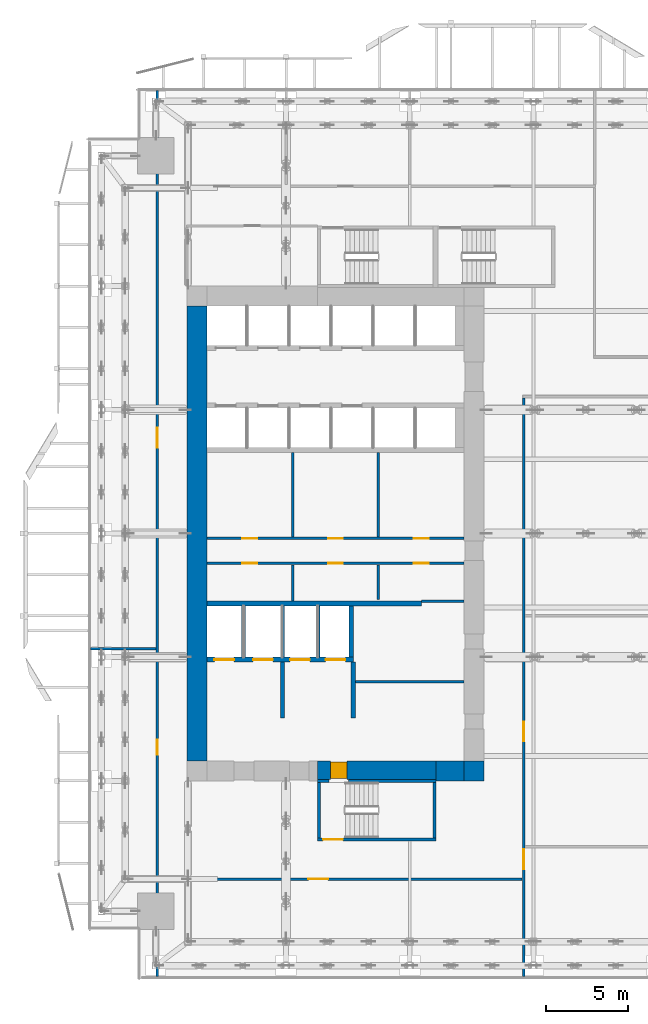
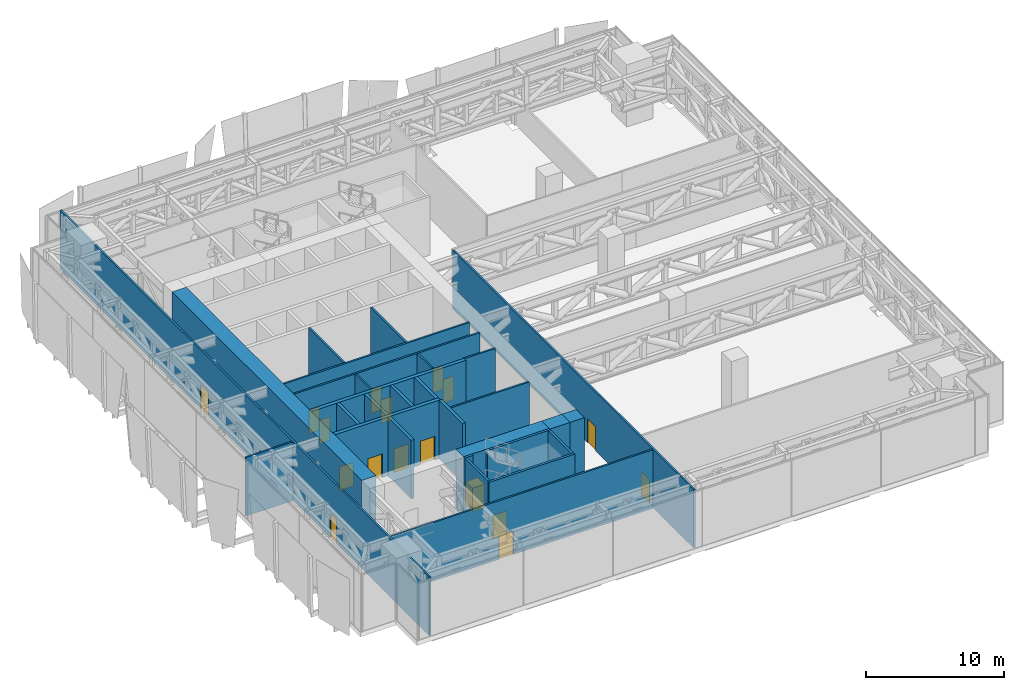
# One storey, part 30 of 39: 29 walls, 17 doors, 17 openings.
"""IFC4 building model written with IfcOpenShell, lengths in metres."""

from ifc_helpers import new_model, si_unit, direction, frame, frame_2d, origin, place, context, subcontext, project, spatial, rectangle, extrude, source, transform, mapped, material, layer, layer_set, type_object, element, fill, save


model = new_model("IFC4")

# Units and contexts
model_context = context("Model", 3, precision=1e-05, world=origin(), true_north=direction((0.0, 1.0)))
body_context = subcontext(model_context, "Body", "Model", "MODEL_VIEW")
ifc_project = project(units=[si_unit("LENGTHUNIT", "METRE"), si_unit("AREAUNIT", "SQUARE_METRE"), si_unit("VOLUMEUNIT", "CUBIC_METRE"), si_unit("PLANEANGLEUNIT", "RADIAN"), si_unit("MASSUNIT", "GRAM", prefix="KILO")], contexts=[model_context])

# Site, building, storey
site_placement = place(None, origin())
site = spatial("IfcSite", under=ifc_project, at=site_placement, CompositionType="ELEMENT")
building_placement = place(site_placement, origin())
building = spatial("IfcBuilding", under=site, at=building_placement, Name="Khomas Fold Tower", CompositionType="ELEMENT")
storey_placement = place(building_placement, frame((0.0, 0.0, 96.0)))
storey = spatial("IfcBuildingStorey", under=building, at=storey_placement, Name="L20", CompositionType="ELEMENT", Elevation=96.0)

# Wall
ifc_material_1 = material(Name="Concrete C70/85", Category="concrete")
ifc_layer_1 = layer(ifc_material_1, 1.199951171875)
ifc_layer_set_1 = layer_set([ifc_layer_1], Name="Concrete C70/85")
wall_type_1 = type_object("IfcWallType", Name="Core corner wall 1200", PredefinedType="SHEAR", material=ifc_layer_set_1)
shared_shape_1 = source(origin(), body_context, "Body", "SweptSolid", [
    extrude(rectangle(XDim=1.199951171875, YDim=1.199951171875, at=frame_2d((0.60009765625, 0.0))), origin(), (0.0, 0.0, 1.0), 5.199951171875),
])
wall_1_placement = place(storey_placement, frame((22.800048828125, 12.60009765625, 0.0), z_axis=(0.0, 0.0, 1.0), x_axis=(1.0, 0.0, 0.0)))
element("IfcWall", 1, at=wall_1_placement, inside=storey, type_object=wall_type_1, Name="Core wall CW-L-SE-B2", PredefinedType="SHEAR", context=body_context, shape_type="MappedRepresentation", body=[
    mapped(shared_shape_1, transform((0.0, 0.0, 0.0))),
])

# Wall, opening, door
ifc_material_2 = material(Name="Concrete C70/85", Category="concrete")
ifc_layer_2 = layer(ifc_material_2, 1.10009765625)
ifc_layer_set_2 = layer_set([ifc_layer_2], Name="Concrete C70/85")
wall_type_2 = type_object("IfcWallType", Name="Core wall 1100", PredefinedType="SHEAR", material=ifc_layer_set_2)
shared_shape_2 = source(origin(), body_context, "Body", "SweptSolid", [
    extrude(rectangle(XDim=7.2001953125, YDim=1.10009765625, at=frame_2d((3.60009765625, 0.0))), origin(), (0.0, 0.0, 1.0), 5.199951171875),
])
wall_2_placement = place(storey_placement, frame((13.89990234375, 12.64990234375, 0.0), z_axis=(0.0, 0.0, 1.0), x_axis=(1.0, 0.0, 0.0)))
wall_2 = element("IfcWall", 2, at=wall_2_placement, inside=storey, type_object=wall_type_2, Name="Core wall CW-L-S-B2-1", PredefinedType="SHEAR", context=body_context, shape_type="MappedRepresentation", body=[
    mapped(shared_shape_2, transform((0.0, 0.0, 0.0))),
])
shared_shape_3 = source(origin(), body_context, "Body", "SweptSolid", [
    extrude(rectangle(XDim=1.0, YDim=2.10009765625, at=frame_2d((0.5, 1.050048828125))), frame((0.0, 0.56005859375, 0.0), z_axis=(0.0, -1.0, 0.0), x_axis=(1.0, 0.0, 0.0)), (0.0, 0.0, 1.0), 1.1201171875),
])
opening_1_placement = place(wall_2_placement, frame((0.800048828125, 0.0, 0.0)))
opening_1 = element("IfcOpeningElement", 3, at=opening_1_placement, cuts=wall_2, Name="Opening 0010", PredefinedType="OPENING", context=body_context, shape_type="MappedRepresentation", body=[
    mapped(shared_shape_3, transform((0.0, 0.0, 0.0))),
])
ifc_material_3 = material(Name="Steel door leaf", Category="steel")
door_type_1 = type_object("IfcDoorType", Name="Stair door 1000x2100 right-hand", OperationType="SINGLE_SWING_RIGHT", PredefinedType="DOOR", material=ifc_material_3)
shared_shape_4 = source(origin(), body_context, "Body", "SweptSolid", [
    extrude(rectangle(XDim=1.0, YDim=2.10009765625, at=frame_2d((0.5, 1.050048828125))), frame((0.0, 0.5, 0.0), z_axis=(0.0, -1.0, 0.0), x_axis=(1.0, 0.0, 0.0)), (0.0, 0.0, 1.0), 1.0),
])
door_1_placement = place(opening_1_placement, origin())
door_1 = element("IfcDoor", 4, at=door_1_placement, inside=storey, type_object=door_type_1, Name="Stair door", OperationType="SINGLE_SWING_RIGHT", OverallHeight=2.10009765625, OverallWidth=1.0, PredefinedType="DOOR", context=body_context, shape_type="MappedRepresentation", body=[
    mapped(shared_shape_4, transform((0.0, 0.0, 0.0))),
])
fill(opening_1, door_1)

# Walls
ifc_material_4 = material(Name="Concrete C70/85", Category="concrete")
ifc_layer_3 = layer(ifc_material_4, 1.199951171875)
ifc_layer_set_3 = layer_set([ifc_layer_3], Name="Concrete C70/85")
wall_type_3 = type_object("IfcWallType", Name="Core wall 1200", PredefinedType="SHEAR", material=ifc_layer_set_3)
shared_shape_5 = source(origin(), body_context, "Body", "SweptSolid", [
    extrude(rectangle(XDim=1.699951171875, YDim=1.199951171875, at=frame_2d((0.85009765625, 0.0))), origin(), (0.0, 0.0, 1.0), 5.199951171875),
])
wall_3_placement = place(storey_placement, frame((21.10009765625, 12.60009765625, 0.0), z_axis=(0.0, 0.0, 1.0), x_axis=(1.0, 0.0, 0.0)))
element("IfcWall", 5, at=wall_3_placement, inside=storey, type_object=wall_type_3, Name="Core wall CW-L-S-B2-2", PredefinedType="SHEAR", context=body_context, shape_type="MappedRepresentation", body=[
    mapped(shared_shape_5, transform((0.0, 0.0, 0.0))),
])
shared_shape_6 = source(origin(), body_context, "Body", "SweptSolid", [
    extrude(rectangle(XDim=27.60009765625, YDim=1.199951171875, at=frame_2d((13.800048828125, 0.0))), origin(), (0.0, 0.0, 1.0), 5.199951171875),
])
wall_4_placement = place(storey_placement, frame((6.60009765625, 13.199951171875, 0.0), z_axis=(0.0, 0.0, 1.0), x_axis=(0.0, 1.0, 0.0)))
element("IfcWall", 6, at=wall_4_placement, inside=storey, type_object=wall_type_3, Name="Core wall CW-L-W-B2", PredefinedType="SHEAR", context=body_context, shape_type="MappedRepresentation", body=[
    mapped(shared_shape_6, transform((0.0, 0.0, 0.0))),
])
ifc_material_5 = material(Name="Concrete C50/60", Category="concrete")
ifc_layer_4 = layer(ifc_material_5, 0.199951171875)
ifc_layer_set_4 = layer_set([ifc_layer_4], Name="Concrete C50/60")
wall_type_4 = type_object("IfcWallType", Name="Stair wall 200", PredefinedType="SHEAR", material=ifc_layer_set_4)
shared_shape_7 = source(origin(), body_context, "Body", "SweptSolid", [
    extrude(rectangle(XDim=0.7001953125, YDim=0.199951171875, at=frame_2d((0.35009765625, 0.0))), origin(), (0.0, 0.0, 1.0), 5.199951171875),
])
wall_5_placement = place(storey_placement, frame((13.89990234375, 12.0, 0.0), z_axis=(0.0, 0.0, 1.0), x_axis=(1.0, 0.0, 0.0)))
element("IfcWall", 7, at=wall_5_placement, inside=storey, type_object=wall_type_4, Name="Stair wall SW-ST2-N", PredefinedType="SHEAR", context=body_context, shape_type="MappedRepresentation", body=[
    mapped(shared_shape_7, transform((0.0, 0.0, 0.0))),
])
shared_shape_8 = source(origin(), body_context, "Body", "SweptSolid", [
    extrude(rectangle(XDim=5.300048828125, YDim=0.199951171875, at=frame_2d((2.64990234375, 0.0))), origin(), (0.0, 0.0, 1.0), 5.199951171875),
])
wall_6_placement = place(storey_placement, frame((15.800048828125, 12.0, 0.0), z_axis=(0.0, 0.0, 1.0), x_axis=(1.0, 0.0, 0.0)))
element("IfcWall", 8, at=wall_6_placement, inside=storey, type_object=wall_type_4, Name="Stair wall SW-ST2-NB", PredefinedType="SHEAR", context=body_context, shape_type="MappedRepresentation", body=[
    mapped(shared_shape_8, transform((0.0, 0.0, 0.0))),
])

# Wall, opening, door
shared_shape_9 = source(origin(), body_context, "Body", "SweptSolid", [
    extrude(rectangle(XDim=7.2001953125, YDim=0.199951171875, at=frame_2d((3.60009765625, 0.0))), origin(), (0.0, 0.0, 1.0), 5.199951171875),
])
wall_7_placement = place(storey_placement, frame((13.89990234375, 8.449951171875, 0.0), z_axis=(0.0, 0.0, 1.0), x_axis=(1.0, 0.0, 0.0)))
wall_7 = element("IfcWall", 9, at=wall_7_placement, inside=storey, type_object=wall_type_4, Name="Stair wall SW-ST2-S", PredefinedType="SHEAR", context=body_context, shape_type="MappedRepresentation", body=[
    mapped(shared_shape_9, transform((0.0, 0.0, 0.0))),
])
shared_shape_10 = source(origin(), body_context, "Body", "SweptSolid", [
    extrude(rectangle(XDim=1.199951171875, YDim=2.10009765625, at=frame_2d((0.60009765625, 1.050048828125))), frame((0.0, 0.10986328125, 0.0), z_axis=(0.0, -1.0, 0.0), x_axis=(1.0, 0.0, 0.0)), (0.0, 0.0, 1.0), 0.219970703125),
])
opening_2_placement = place(wall_7_placement, frame((0.35009765625, 0.0, 0.0)))
opening_2 = element("IfcOpeningElement", 10, at=opening_2_placement, cuts=wall_7, Name="Opening SD-ST2", PredefinedType="OPENING", context=body_context, shape_type="MappedRepresentation", body=[
    mapped(shared_shape_10, transform((0.0, 0.0, 0.0))),
])
ifc_material_6 = material(Name="Steel door leaf", Category="steel")
door_type_2 = type_object("IfcDoorType", Name="Stair door 1200x2100 right-hand", OperationType="SINGLE_SWING_RIGHT", PredefinedType="DOOR", material=ifc_material_6)
shared_shape_11 = source(origin(), body_context, "Body", "SweptSolid", [
    extrude(rectangle(XDim=1.199951171875, YDim=2.10009765625, at=frame_2d((0.60009765625, 1.050048828125))), frame((0.0, 0.02490234375, 0.0), z_axis=(0.0, -1.0, 0.0), x_axis=(1.0, 0.0, 0.0)), (0.0, 0.0, 1.0), 0.050048828125),
])
door_2_placement = place(opening_2_placement, origin())
door_2 = element("IfcDoor", 11, at=door_2_placement, inside=storey, type_object=door_type_2, Name="Stair door", OperationType="SINGLE_SWING_RIGHT", OverallHeight=2.10009765625, OverallWidth=1.199951171875, PredefinedType="DOOR", context=body_context, shape_type="MappedRepresentation", body=[
    mapped(shared_shape_11, transform((0.0, 0.0, 0.0))),
])
fill(opening_2, door_2)

# Walls
shared_shape_12 = source(origin(), body_context, "Body", "SweptSolid", [
    extrude(rectangle(XDim=3.349853515625, YDim=0.199951171875, at=frame_2d((1.6748046875, 0.0))), origin(), (0.0, 0.0, 1.0), 5.199951171875),
])
for number, where, z_axis, x_axis, name in (
    (12, (21.0, 8.550048828125, 0.0), (0.0, 0.0, 1.0), (0.0, 1.0, 0.0), "Stair wall SW-ST2-E"),
    (13, (14.0, 8.550048828125, 0.0), (0.0, 0.0, 1.0), (0.0, 1.0, 0.0), "Stair wall SW-ST2-W"),
):
    element("IfcWall", number, at=place(storey_placement, frame(where, z_axis=z_axis, x_axis=x_axis)), inside=storey, type_object=wall_type_4, Name=name, PredefinedType="SHEAR", context=body_context, shape_type="MappedRepresentation", body=[
        mapped(shared_shape_12, transform((0.0, 0.0, 0.0))),
    ])
ifc_material_7 = material(Name="Concrete C50/60", Category="concrete")
ifc_layer_5 = layer(ifc_material_7, 0.300048828125)
ifc_layer_set_5 = layer_set([ifc_layer_5], Name="Concrete C50/60")
wall_type_5 = type_object("IfcWallType", Name="Shaft wall 300", PredefinedType="STANDARD", material=ifc_layer_set_5)
shared_shape_13 = source(origin(), body_context, "Body", "SweptSolid", [
    extrude(rectangle(XDim=13.0, YDim=0.300048828125, at=frame_2d((6.5, 0.0))), origin(), (0.0, 0.0, 1.0), 5.199951171875),
])
wall_8_placement = place(storey_placement, frame((7.199951171875, 22.75, 0.0), z_axis=(0.0, 0.0, 1.0), x_axis=(1.0, 0.0, 0.0)))
element("IfcWall", 14, at=wall_8_placement, inside=storey, type_object=wall_type_5, Name="Core wall SW-FS-B", PredefinedType="STANDARD", context=body_context, shape_type="MappedRepresentation", body=[
    mapped(shared_shape_13, transform((0.0, 0.0, 0.0))),
])

# Wall, openings, doors
shared_shape_14 = source(origin(), body_context, "Body", "SweptSolid", [
    extrude(rectangle(XDim=8.875, YDim=0.300048828125, at=frame_2d((4.4375, 0.0))), origin(), (0.0, 0.0, 1.0), 5.199951171875),
])
wall_9_placement = place(storey_placement, frame((7.199951171875, 19.35009765625, 0.0), z_axis=(0.0, 0.0, 1.0), x_axis=(1.0, 0.0, 0.0)))
wall_9 = element("IfcWall", 15, at=wall_9_placement, inside=storey, type_object=wall_type_5, Name="Core wall SW-FS-F", PredefinedType="STANDARD", context=body_context, shape_type="MappedRepresentation", body=[
    mapped(shared_shape_14, transform((0.0, 0.0, 0.0))),
])
shared_shape_15 = source(origin(), body_context, "Body", "SweptSolid", [
    extrude(rectangle(XDim=1.199951171875, YDim=2.10009765625, at=frame_2d((0.60009765625, 1.050048828125))), frame((0.0, 0.159912109375, 0.0), z_axis=(0.0, -1.0, 0.0), x_axis=(1.0, 0.0, 0.0)), (0.0, 0.0, 1.0), 0.320068359375),
])
opening_3_placement = place(wall_9_placement, frame((0.449951171875, 0.0, 0.0)))
opening_3 = element("IfcOpeningElement", 16, at=opening_3_placement, cuts=wall_9, Name="Opening LD-SV1", PredefinedType="OPENING", context=body_context, shape_type="MappedRepresentation", body=[
    mapped(shared_shape_15, transform((0.0, 0.0, 0.0))),
])
opening_4_placement = place(wall_9_placement, frame((2.800048828125, 0.0, 0.0)))
opening_4 = element("IfcOpeningElement", 17, at=opening_4_placement, cuts=wall_9, Name="Opening LD-SV2", PredefinedType="OPENING", context=body_context, shape_type="MappedRepresentation", body=[
    mapped(shared_shape_15, transform((0.0, 0.0, 0.0))),
])
opening_5_placement = place(wall_9_placement, frame((5.050048828125, 0.0, 0.0)))
opening_5 = element("IfcOpeningElement", 18, at=opening_5_placement, cuts=wall_9, Name="Opening LD-FF1", PredefinedType="OPENING", context=body_context, shape_type="MappedRepresentation", body=[
    mapped(shared_shape_15, transform((0.0, 0.0, 0.0))),
])
opening_6_placement = place(wall_9_placement, frame((7.199951171875, 0.0, 0.0)))
opening_6 = element("IfcOpeningElement", 19, at=opening_6_placement, cuts=wall_9, Name="Opening LD-FF2", PredefinedType="OPENING", context=body_context, shape_type="MappedRepresentation", body=[
    mapped(shared_shape_15, transform((0.0, 0.0, 0.0))),
])
ifc_material_8 = material(Name="Steel door leaf", Category="steel")
door_type_3 = type_object("IfcDoorType", Name="Landing door 1200x2100", OperationType="DOUBLE_DOOR_SLIDING", PredefinedType="DOOR", material=ifc_material_8)
door_3_placement = place(opening_3_placement, origin())
door_3 = element("IfcDoor", 20, at=door_3_placement, inside=storey, type_object=door_type_3, Name="Lift landing door", OperationType="DOUBLE_DOOR_SLIDING", OverallHeight=2.10009765625, OverallWidth=1.199951171875, PredefinedType="DOOR", context=body_context, shape_type="MappedRepresentation", body=[
    mapped(shared_shape_11, transform((0.0, 0.0, 0.0))),
])
fill(opening_3, door_3)
door_4_placement = place(opening_4_placement, origin())
door_4 = element("IfcDoor", 21, at=door_4_placement, inside=storey, type_object=door_type_3, Name="Lift landing door", OperationType="DOUBLE_DOOR_SLIDING", OverallHeight=2.10009765625, OverallWidth=1.199951171875, PredefinedType="DOOR", context=body_context, shape_type="MappedRepresentation", body=[
    mapped(shared_shape_11, transform((0.0, 0.0, 0.0))),
])
fill(opening_4, door_4)
door_5_placement = place(opening_5_placement, origin())
door_5 = element("IfcDoor", 22, at=door_5_placement, inside=storey, type_object=door_type_3, Name="Lift landing door", OperationType="DOUBLE_DOOR_SLIDING", OverallHeight=2.10009765625, OverallWidth=1.199951171875, PredefinedType="DOOR", context=body_context, shape_type="MappedRepresentation", body=[
    mapped(shared_shape_11, transform((0.0, 0.0, 0.0))),
])
fill(opening_5, door_5)
door_6_placement = place(opening_6_placement, origin())
door_6 = element("IfcDoor", 23, at=door_6_placement, inside=storey, type_object=door_type_3, Name="Lift landing door", OperationType="DOUBLE_DOOR_SLIDING", OverallHeight=2.10009765625, OverallWidth=1.199951171875, PredefinedType="DOOR", context=body_context, shape_type="MappedRepresentation", body=[
    mapped(shared_shape_11, transform((0.0, 0.0, 0.0))),
])
fill(opening_6, door_6)

# Walls
ifc_material_9 = material(Name="Concrete C50/60", Category="concrete")
ifc_layer_6 = layer(ifc_material_9, 0.25)
ifc_layer_set_6 = layer_set([ifc_layer_6], Name="Concrete C50/60")
wall_type_6 = type_object("IfcWallType", Name="Shaft wall 250", PredefinedType="STANDARD", material=ifc_layer_set_6)
shared_shape_16 = source(origin(), body_context, "Body", "SweptSolid", [
    extrude(rectangle(XDim=3.10009765625, YDim=0.25, at=frame_2d((1.550048828125, 0.0))), origin(), (0.0, 0.0, 1.0), 5.199951171875),
])
for number, where, z_axis, x_axis, name in (
    (24, (9.425048828125, 19.5, 0.0), (0.0, 0.0, 1.0), (0.0, 1.0, 0.0), "Core wall SW-FS-P1"),
    (25, (11.77490234375, 19.5, 0.0), (0.0, 0.0, 1.0), (0.0, 1.0, 0.0), "Core wall SW-FS-P2"),
    (26, (13.925048828125, 19.5, 0.0), (0.0, 0.0, 1.0), (0.0, 1.0, 0.0), "Core wall SW-FS-P3"),
    (27, (15.949951171875, 19.5, 0.0), (0.0, 0.0, 1.0), (0.0, 1.0, 0.0), "Core wall SW-FS-PE"),
):
    element("IfcWall", number, at=place(storey_placement, frame(where, z_axis=z_axis, x_axis=x_axis)), inside=storey, type_object=wall_type_6, Name=name, PredefinedType="STANDARD", context=body_context, shape_type="MappedRepresentation", body=[
        mapped(shared_shape_16, transform((0.0, 0.0, 0.0))),
    ])
ifc_material_10 = material(Name="Concrete C50/60", Category="concrete")
ifc_layer_7 = layer(ifc_material_10, 0.25)
ifc_layer_set_7 = layer_set([ifc_layer_7], Name="Concrete C50/60")
wall_type_7 = type_object("IfcWallType", Name="Lobby wall 250", PredefinedType="STANDARD", material=ifc_layer_set_7)
shared_shape_17 = source(origin(), body_context, "Body", "SweptSolid", [
    extrude(rectangle(XDim=3.39990234375, YDim=0.25, at=frame_2d((1.699951171875, 0.0))), origin(), (0.0, 0.0, 1.0), 5.199951171875),
])
for number, where, z_axis, x_axis, name in (
    (28, (16.074951171875, 15.800048828125, 0.0), (0.0, 0.0, 1.0), (0.0, 1.0, 0.0), "Core wall SW-FS-LOB-E"),
    (29, (11.77490234375, 15.800048828125, 0.0), (0.0, 0.0, 1.0), (0.0, 1.0, 0.0), "Core wall SW-FS-SEP"),
):
    element("IfcWall", number, at=place(storey_placement, frame(where, z_axis=z_axis, x_axis=x_axis)), inside=storey, type_object=wall_type_7, Name=name, PredefinedType="STANDARD", context=body_context, shape_type="MappedRepresentation", body=[
        mapped(shared_shape_17, transform((0.0, 0.0, 0.0))),
    ])
ifc_material_11 = material(Name="Plasterboard fire partition")
ifc_layer_8 = layer(ifc_material_11, 0.14990234375)
ifc_layer_set_8 = layer_set([ifc_layer_8], Name="Plasterboard fire partition")
wall_type_8 = type_object("IfcWallType", Name="Plant room wall PW3 150", PredefinedType="PARTITIONING", material=ifc_layer_set_8)
shared_shape_18 = source(origin(), body_context, "Body", "SweptSolid", [
    extrude(rectangle(XDim=6.60009765625, YDim=0.14990234375, at=frame_2d((3.300048828125, 0.0))), origin(), (0.0, 0.0, 1.0), 5.199951171875),
])
wall_10_placement = place(storey_placement, frame((16.199951171875, 18.0, 0.0), z_axis=(0.0, 0.0, 1.0), x_axis=(1.0, 0.0, 0.0)))
element("IfcWall", 30, at=wall_10_placement, inside=storey, type_object=wall_type_8, Name="Plant room wall", PredefinedType="PARTITIONING", context=body_context, shape_type="MappedRepresentation", body=[
    mapped(shared_shape_18, transform((0.0, 0.0, 0.0))),
])

# Wall, openings, doors
shared_shape_19 = source(origin(), body_context, "Body", "SweptSolid", [
    extrude(rectangle(XDim=15.60009765625, YDim=0.14990234375, at=frame_2d((7.800048828125, 0.0))), origin(), (0.0, 0.0, 1.0), 5.199951171875),
])
wall_11_placement = place(storey_placement, frame((7.199951171875, 25.199951171875, 0.0), z_axis=(0.0, 0.0, 1.0), x_axis=(1.0, 0.0, 0.0)))
wall_11 = element("IfcWall", 31, at=wall_11_placement, inside=storey, type_object=wall_type_8, Name="Plant room wall", PredefinedType="PARTITIONING", context=body_context, shape_type="MappedRepresentation", body=[
    mapped(shared_shape_19, transform((0.0, 0.0, 0.0))),
])
shared_shape_20 = source(origin(), body_context, "Body", "SweptSolid", [
    extrude(rectangle(XDim=0.89990234375, YDim=2.10009765625, at=frame_2d((0.449951171875, 1.050048828125))), frame((0.0, 0.0849609375, 0.0), z_axis=(0.0, -1.0, 0.0), x_axis=(1.0, 0.0, 0.0)), (0.0, 0.0, 1.0), 0.169921875),
])
opening_7_placement = place(wall_11_placement, frame((2.14990234375, 0.0, 0.0)))
opening_7 = element("IfcOpeningElement", 32, at=opening_7_placement, cuts=wall_11, Name="Opening 0002", PredefinedType="OPENING", context=body_context, shape_type="MappedRepresentation", body=[
    mapped(shared_shape_20, transform((0.0, 0.0, 0.0))),
])
opening_8_placement = place(wall_11_placement, frame((7.35009765625, 0.0, 0.0)))
opening_8 = element("IfcOpeningElement", 33, at=opening_8_placement, cuts=wall_11, Name="Opening 0003", PredefinedType="OPENING", context=body_context, shape_type="MappedRepresentation", body=[
    mapped(shared_shape_20, transform((0.0, 0.0, 0.0))),
])
opening_9_placement = place(wall_11_placement, frame((12.550048828125, 0.0, 0.0)))
opening_9 = element("IfcOpeningElement", 34, at=opening_9_placement, cuts=wall_11, Name="Opening 0002", PredefinedType="OPENING", context=body_context, shape_type="MappedRepresentation", body=[
    mapped(shared_shape_20, transform((0.0, 0.0, 0.0))),
])
ifc_material_12 = material(Name="Steel door leaf", Category="steel")
door_type_4 = type_object("IfcDoorType", Name="Plant room door 900x2100 left-hand", OperationType="SINGLE_SWING_LEFT", PredefinedType="DOOR", material=ifc_material_12)
shared_shape_21 = source(origin(), body_context, "Body", "SweptSolid", [
    extrude(rectangle(XDim=0.89990234375, YDim=2.10009765625, at=frame_2d((0.449951171875, 1.050048828125))), frame((0.0, 0.02490234375, 0.0), z_axis=(0.0, -1.0, 0.0), x_axis=(1.0, 0.0, 0.0)), (0.0, 0.0, 1.0), 0.050048828125),
])
door_7_placement = place(opening_7_placement, origin())
door_7 = element("IfcDoor", 35, at=door_7_placement, inside=storey, type_object=door_type_4, Name="Plant room door", OperationType="SINGLE_SWING_LEFT", OverallHeight=2.10009765625, OverallWidth=0.89990234375, PredefinedType="DOOR", context=body_context, shape_type="MappedRepresentation", body=[
    mapped(shared_shape_21, transform((0.0, 0.0, 0.0))),
])
fill(opening_7, door_7)
ifc_material_13 = material(Name="Steel door leaf", Category="steel")
door_type_5 = type_object("IfcDoorType", Name="Plant room door 900x2100 right-hand", OperationType="SINGLE_SWING_RIGHT", PredefinedType="DOOR", material=ifc_material_13)
door_8_placement = place(opening_8_placement, origin())
door_8 = element("IfcDoor", 36, at=door_8_placement, inside=storey, type_object=door_type_5, Name="Plant room door", OperationType="SINGLE_SWING_RIGHT", OverallHeight=2.10009765625, OverallWidth=0.89990234375, PredefinedType="DOOR", context=body_context, shape_type="MappedRepresentation", body=[
    mapped(shared_shape_21, transform((0.0, 0.0, 0.0))),
])
fill(opening_8, door_8)
door_9_placement = place(opening_9_placement, origin())
door_9 = element("IfcDoor", 37, at=door_9_placement, inside=storey, type_object=door_type_4, Name="Plant room door", OperationType="SINGLE_SWING_LEFT", OverallHeight=2.10009765625, OverallWidth=0.89990234375, PredefinedType="DOOR", context=body_context, shape_type="MappedRepresentation", body=[
    mapped(shared_shape_21, transform((0.0, 0.0, 0.0))),
])
fill(opening_9, door_9)

wall_12_placement = place(storey_placement, frame((7.199951171875, 26.699951171875, 0.0), z_axis=(0.0, 0.0, 1.0), x_axis=(1.0, 0.0, 0.0)))
wall_12 = element("IfcWall", 38, at=wall_12_placement, inside=storey, type_object=wall_type_8, Name="Plant room wall", PredefinedType="PARTITIONING", context=body_context, shape_type="MappedRepresentation", body=[
    mapped(shared_shape_19, transform((0.0, 0.0, 0.0))),
])
opening_10_placement = place(wall_12_placement, frame((2.14990234375, 0.0, 0.0)))
opening_10 = element("IfcOpeningElement", 39, at=opening_10_placement, cuts=wall_12, Name="Opening 0002", PredefinedType="OPENING", context=body_context, shape_type="MappedRepresentation", body=[
    mapped(shared_shape_20, transform((0.0, 0.0, 0.0))),
])
opening_11_placement = place(wall_12_placement, frame((7.35009765625, 0.0, 0.0)))
opening_11 = element("IfcOpeningElement", 40, at=opening_11_placement, cuts=wall_12, Name="Opening 0003", PredefinedType="OPENING", context=body_context, shape_type="MappedRepresentation", body=[
    mapped(shared_shape_20, transform((0.0, 0.0, 0.0))),
])
opening_12_placement = place(wall_12_placement, frame((12.550048828125, 0.0, 0.0)))
opening_12 = element("IfcOpeningElement", 41, at=opening_12_placement, cuts=wall_12, Name="Opening 0002", PredefinedType="OPENING", context=body_context, shape_type="MappedRepresentation", body=[
    mapped(shared_shape_20, transform((0.0, 0.0, 0.0))),
])
door_10_placement = place(opening_10_placement, origin())
door_10 = element("IfcDoor", 42, at=door_10_placement, inside=storey, type_object=door_type_4, Name="Plant room door", OperationType="SINGLE_SWING_LEFT", OverallHeight=2.10009765625, OverallWidth=0.89990234375, PredefinedType="DOOR", context=body_context, shape_type="MappedRepresentation", body=[
    mapped(shared_shape_21, transform((0.0, 0.0, 0.0))),
])
fill(opening_10, door_10)
door_11_placement = place(opening_11_placement, origin())
door_11 = element("IfcDoor", 43, at=door_11_placement, inside=storey, type_object=door_type_5, Name="Plant room door", OperationType="SINGLE_SWING_RIGHT", OverallHeight=2.10009765625, OverallWidth=0.89990234375, PredefinedType="DOOR", context=body_context, shape_type="MappedRepresentation", body=[
    mapped(shared_shape_21, transform((0.0, 0.0, 0.0))),
])
fill(opening_11, door_11)
door_12_placement = place(opening_12_placement, origin())
door_12 = element("IfcDoor", 44, at=door_12_placement, inside=storey, type_object=door_type_4, Name="Plant room door", OperationType="SINGLE_SWING_LEFT", OverallHeight=2.10009765625, OverallWidth=0.89990234375, PredefinedType="DOOR", context=body_context, shape_type="MappedRepresentation", body=[
    mapped(shared_shape_21, transform((0.0, 0.0, 0.0))),
])
fill(opening_12, door_12)

shared_shape_22 = source(origin(), body_context, "Body", "SweptSolid", [
    extrude(rectangle(XDim=53.7001953125, YDim=0.14990234375, at=frame_2d((26.85009765625, 0.0))), origin(), (0.0, 0.0, 1.0), 5.199951171875),
])
wall_13_placement = place(storey_placement, frame((4.199951171875, 0.14990234375, 0.0), z_axis=(0.0, 0.0, 1.0), x_axis=(0.0, 1.0, 0.0)))
wall_13 = element("IfcWall", 45, at=wall_13_placement, inside=storey, type_object=wall_type_8, Name="Plant room wall", PredefinedType="PARTITIONING", context=body_context, shape_type="MappedRepresentation", body=[
    mapped(shared_shape_22, transform((0.0, 0.0, 0.0))),
])
opening_13_placement = place(wall_13_placement, frame((13.449951171875, 0.0, 0.0)))
opening_13 = element("IfcOpeningElement", 46, at=opening_13_placement, cuts=wall_13, Name="Opening 0003", PredefinedType="OPENING", context=body_context, shape_type="MappedRepresentation", body=[
    mapped(shared_shape_20, transform((0.0, 0.0, 0.0))),
])
shared_shape_23 = source(origin(), body_context, "Body", "SweptSolid", [
    extrude(rectangle(XDim=1.199951171875, YDim=2.10009765625, at=frame_2d((0.60009765625, 1.050048828125))), frame((0.0, 0.0849609375, 0.0), z_axis=(0.0, -1.0, 0.0), x_axis=(1.0, 0.0, 0.0)), (0.0, 0.0, 1.0), 0.169921875),
])
opening_14_placement = place(wall_13_placement, frame((32.050048828125, 0.0, 0.0)))
opening_14 = element("IfcOpeningElement", 47, at=opening_14_placement, cuts=wall_13, Name="Opening 0011", PredefinedType="OPENING", context=body_context, shape_type="MappedRepresentation", body=[
    mapped(shared_shape_23, transform((0.0, 0.0, 0.0))),
])
door_13_placement = place(opening_13_placement, origin())
door_13 = element("IfcDoor", 48, at=door_13_placement, inside=storey, type_object=door_type_5, Name="Plant room door", OperationType="SINGLE_SWING_RIGHT", OverallHeight=2.10009765625, OverallWidth=0.89990234375, PredefinedType="DOOR", context=body_context, shape_type="MappedRepresentation", body=[
    mapped(shared_shape_21, transform((0.0, 0.0, 0.0))),
])
fill(opening_13, door_13)
ifc_material_14 = material(Name="Steel door leaf", Category="steel")
door_type_6 = type_object("IfcDoorType", Name="Plant room door 1200x2100 right-hand", OperationType="SINGLE_SWING_RIGHT", PredefinedType="DOOR", material=ifc_material_14)
door_14_placement = place(opening_14_placement, origin())
door_14 = element("IfcDoor", 49, at=door_14_placement, inside=storey, type_object=door_type_6, Name="Plant room door", OperationType="SINGLE_SWING_RIGHT", OverallHeight=2.10009765625, OverallWidth=1.199951171875, PredefinedType="DOOR", context=body_context, shape_type="MappedRepresentation", body=[
    mapped(shared_shape_11, transform((0.0, 0.0, 0.0))),
])
fill(opening_14, door_14)

shared_shape_24 = source(origin(), body_context, "Body", "SweptSolid", [
    extrude(rectangle(XDim=35.050048828125, YDim=0.14990234375, at=frame_2d((17.52490234375, 0.0))), origin(), (0.0, 0.0, 1.0), 5.199951171875),
])
wall_14_placement = place(storey_placement, frame((26.39990234375, 0.14990234375, 0.0), z_axis=(0.0, 0.0, 1.0), x_axis=(0.0, 1.0, 0.0)))
wall_14 = element("IfcWall", 50, at=wall_14_placement, inside=storey, type_object=wall_type_8, Name="Plant room wall", PredefinedType="PARTITIONING", context=body_context, shape_type="MappedRepresentation", body=[
    mapped(shared_shape_24, transform((0.0, 0.0, 0.0))),
])
opening_15_placement = place(wall_14_placement, frame((6.5, 0.0, 0.0)))
opening_15 = element("IfcOpeningElement", 51, at=opening_15_placement, cuts=wall_14, Name="Opening 0011", PredefinedType="OPENING", context=body_context, shape_type="MappedRepresentation", body=[
    mapped(shared_shape_23, transform((0.0, 0.0, 0.0))),
])
opening_16_placement = place(wall_14_placement, frame((14.25, 0.0, 0.0)))
opening_16 = element("IfcOpeningElement", 52, at=opening_16_placement, cuts=wall_14, Name="Opening 0011", PredefinedType="OPENING", context=body_context, shape_type="MappedRepresentation", body=[
    mapped(shared_shape_23, transform((0.0, 0.0, 0.0))),
])
door_15_placement = place(opening_15_placement, origin())
door_15 = element("IfcDoor", 53, at=door_15_placement, inside=storey, type_object=door_type_6, Name="Plant room door", OperationType="SINGLE_SWING_RIGHT", OverallHeight=2.10009765625, OverallWidth=1.199951171875, PredefinedType="DOOR", context=body_context, shape_type="MappedRepresentation", body=[
    mapped(shared_shape_11, transform((0.0, 0.0, 0.0))),
])
fill(opening_15, door_15)
door_16_placement = place(opening_16_placement, origin())
door_16 = element("IfcDoor", 54, at=door_16_placement, inside=storey, type_object=door_type_6, Name="Plant room door", OperationType="SINGLE_SWING_RIGHT", OverallHeight=2.10009765625, OverallWidth=1.199951171875, PredefinedType="DOOR", context=body_context, shape_type="MappedRepresentation", body=[
    mapped(shared_shape_11, transform((0.0, 0.0, 0.0))),
])
fill(opening_16, door_16)

# Wall, opening, door
shared_shape_25 = source(origin(), body_context, "Body", "SweptSolid", [
    extrude(rectangle(XDim=22.0, YDim=0.14990234375, at=frame_2d((11.0, 0.0))), origin(), (0.0, 0.0, 1.0), 5.199951171875),
])
wall_15_placement = place(storey_placement, frame((4.300048828125, 6.050048828125, 0.0), z_axis=(0.0, 0.0, 1.0), x_axis=(1.0, 0.0, 0.0)))
wall_15 = element("IfcWall", 55, at=wall_15_placement, inside=storey, type_object=wall_type_8, Name="Plant room wall", PredefinedType="PARTITIONING", context=body_context, shape_type="MappedRepresentation", body=[
    mapped(shared_shape_25, transform((0.0, 0.0, 0.0))),
])
opening_17_placement = place(wall_15_placement, frame((9.050048828125, 0.0, 0.0)))
opening_17 = element("IfcOpeningElement", 56, at=opening_17_placement, cuts=wall_15, Name="Opening 0012", PredefinedType="OPENING", context=body_context, shape_type="MappedRepresentation", body=[
    mapped(shared_shape_23, transform((0.0, 0.0, 0.0))),
])
ifc_material_15 = material(Name="Steel door leaf", Category="steel")
door_type_7 = type_object("IfcDoorType", Name="Plant room door 1200x2100 left-hand", OperationType="SINGLE_SWING_LEFT", PredefinedType="DOOR", material=ifc_material_15)
door_17_placement = place(opening_17_placement, origin())
door_17 = element("IfcDoor", 57, at=door_17_placement, inside=storey, type_object=door_type_7, Name="Plant room door", OperationType="SINGLE_SWING_LEFT", OverallHeight=2.10009765625, OverallWidth=1.199951171875, PredefinedType="DOOR", context=body_context, shape_type="MappedRepresentation", body=[
    mapped(shared_shape_11, transform((0.0, 0.0, 0.0))),
])
fill(opening_17, door_17)

# Walls
shared_shape_26 = source(origin(), body_context, "Body", "SweptSolid", [
    extrude(rectangle(XDim=3.9501953125, YDim=0.14990234375, at=frame_2d((1.97509765625, 0.0))), origin(), (0.0, 0.0, 1.0), 5.199951171875),
])
wall_16_placement = place(storey_placement, frame((0.14990234375, 20.0, 0.0), z_axis=(0.0, 0.0, 1.0), x_axis=(1.0, 0.0, 0.0)))
element("IfcWall", 58, at=wall_16_placement, inside=storey, type_object=wall_type_8, Name="Plant room wall", PredefinedType="PARTITIONING", context=body_context, shape_type="MappedRepresentation", body=[
    mapped(shared_shape_26, transform((0.0, 0.0, 0.0))),
])
shared_shape_27 = source(origin(), body_context, "Body", "SweptSolid", [
    extrude(rectangle(XDim=2.2001953125, YDim=0.14990234375, at=frame_2d((1.10009765625, 0.0))), origin(), (0.0, 0.0, 1.0), 5.199951171875),
])
wall_17_placement = place(storey_placement, frame((12.39990234375, 22.89990234375, 0.0), z_axis=(0.0, 0.0, 1.0), x_axis=(0.0, 1.0, 0.0)))
element("IfcWall", 59, at=wall_17_placement, inside=storey, type_object=wall_type_8, Name="Plant room wall", PredefinedType="PARTITIONING", context=body_context, shape_type="MappedRepresentation", body=[
    mapped(shared_shape_27, transform((0.0, 0.0, 0.0))),
])
shared_shape_28 = source(origin(), body_context, "Body", "SweptSolid", [
    extrude(rectangle(XDim=2.60009765625, YDim=0.14990234375, at=frame_2d((1.300048828125, 0.0))), origin(), (0.0, 0.0, 1.0), 5.199951171875),
])
wall_18_placement = place(storey_placement, frame((20.199951171875, 22.89990234375, 0.0), z_axis=(0.0, 0.0, 1.0), x_axis=(1.0, 0.0, 0.0)))
element("IfcWall", 60, at=wall_18_placement, inside=storey, type_object=wall_type_8, Name="Plant room wall", PredefinedType="PARTITIONING", context=body_context, shape_type="MappedRepresentation", body=[
    mapped(shared_shape_28, transform((0.0, 0.0, 0.0))),
])
shared_shape_29 = source(origin(), body_context, "Body", "SweptSolid", [
    extrude(rectangle(XDim=2.10009765625, YDim=0.14990234375, at=frame_2d((1.050048828125, 0.0))), origin(), (0.0, 0.0, 1.0), 5.199951171875),
])
wall_19_placement = place(storey_placement, frame((17.60009765625, 23.0, 0.0), z_axis=(0.0, 0.0, 1.0), x_axis=(0.0, 1.0, 0.0)))
element("IfcWall", 61, at=wall_19_placement, inside=storey, type_object=wall_type_8, Name="Plant room wall", PredefinedType="PARTITIONING", context=body_context, shape_type="MappedRepresentation", body=[
    mapped(shared_shape_29, transform((0.0, 0.0, 0.0))),
])
shared_shape_30 = source(origin(), body_context, "Body", "SweptSolid", [
    extrude(rectangle(XDim=5.099853515625, YDim=0.14990234375, at=frame_2d((2.5498046875, 0.0))), origin(), (0.0, 0.0, 1.0), 5.199951171875),
])
for number, where, z_axis, x_axis, name in (
    (62, (12.39990234375, 26.800048828125, 0.0), (0.0, 0.0, 1.0), (0.0, 1.0, 0.0), "Plant room wall"),
    (63, (17.60009765625, 26.800048828125, 0.0), (0.0, 0.0, 1.0), (0.0, 1.0, 0.0), "Plant room wall"),
):
    element("IfcWall", number, at=place(storey_placement, frame(where, z_axis=z_axis, x_axis=x_axis)), inside=storey, type_object=wall_type_8, Name=name, PredefinedType="PARTITIONING", context=body_context, shape_type="MappedRepresentation", body=[
        mapped(shared_shape_30, transform((0.0, 0.0, 0.0))),
    ])

save(model, "model.ifc")
